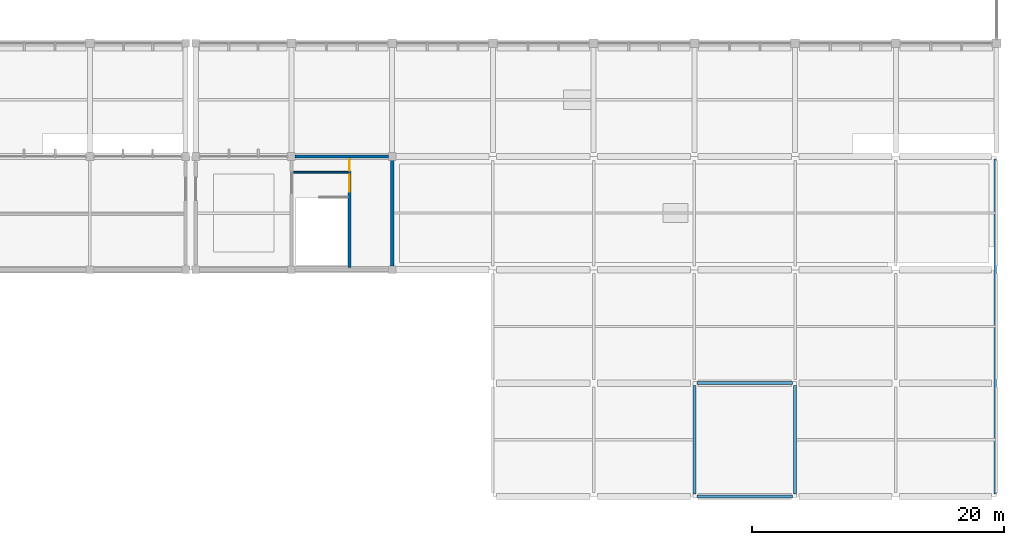
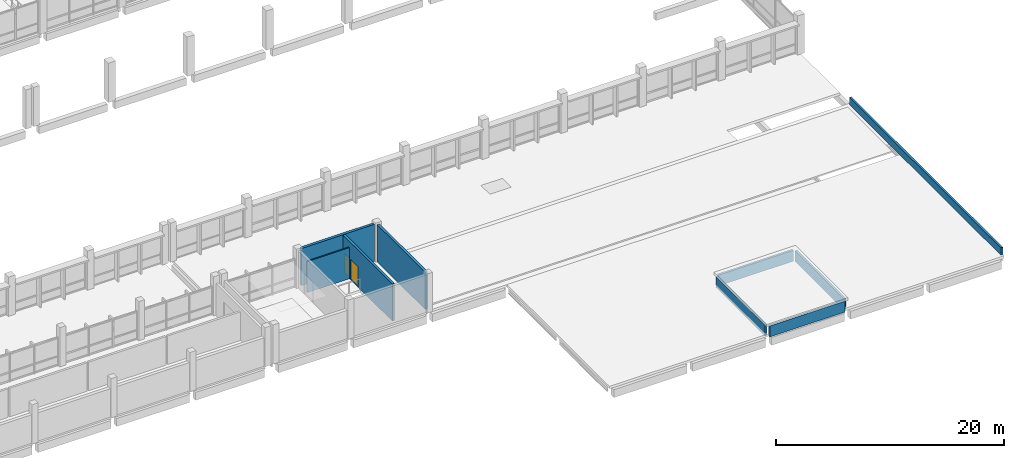
# One storey, part 62 of 70: 9 walls, 2 doors, 2 openings.
"""IFC4 building model written with IfcOpenShell, lengths in metres."""

import ifcopenshell
import ifcopenshell.guid

model = None  # the IFC model being written
_history = None  # IfcOwnerHistory: only IFC2X3 demands one
_inside = {}  # id of a spatial element -> (the spatial element, [elements in it])
_under = {}  # id of a project, library or spatial element -> (it, [spatial elements below it])
_declared = {}  # id of a project -> (the project, [libraries it declares])
_typed = {}  # id of a type object -> (the type object, [elements of that type])
_made_of = {}  # id of a material, layer set ... -> (it, [elements and type objects made of it])


def new_model(schema):
    """Start an empty IFC model of exactly this schema.

    Asked for "IFC4X3", IfcOpenShell would pick the latest addendum, in which some entities
    have other attributes; the version numbers below select the first issue.
    IFC2X3 requires an IfcOwnerHistory on every rooted entity: one is made here for all.
    """
    global model, _history
    if schema == "IFC4X3":
        model = ifcopenshell.file(schema_version=(4, 3, 0, 0))
    else:
        model = ifcopenshell.file(schema=schema)
    _inside.clear()
    _under.clear()
    _declared.clear()
    _typed.clear()
    _made_of.clear()
    _history = None
    if model.schema == "IFC2X3":
        org = make("IfcOrganization", Name="unknown")
        user = make(
            "IfcPersonAndOrganization",
            ThePerson=make("IfcPerson", FamilyName="unknown"),
            TheOrganization=org,
        )
        app = make(
            "IfcApplication",
            ApplicationDeveloper=org,
            Version="unknown",
            ApplicationFullName="unknown",
            ApplicationIdentifier="unknown",
        )
        _history = make(
            "IfcOwnerHistory",
            OwningUser=user,
            OwningApplication=app,
            ChangeAction="ADDED",
            CreationDate=0,
        )
    return model


def make(cls, **values):
    """One entity of the class cls with the attributes given. An attribute that is None is left unset."""
    return model.create_entity(
        cls, **{name: value for name, value in values.items() if value is not None}
    )


def rooted(cls, **values):
    """An entity with a GlobalId (a new one), such as an element, a storey or a relation."""
    return make(cls, GlobalId=ifcopenshell.guid.new(), OwnerHistory=_history, **values)


def si_unit(unit_type, name, prefix=None):
    """IfcSIUnit, for example si_unit("LENGTHUNIT", "METRE", prefix="MILLI")."""
    return make("IfcSIUnit", UnitType=unit_type, Prefix=prefix, Name=name)


def assignment(units):
    """IfcUnitAssignment: the units of a project."""
    return None if units is None else make("IfcUnitAssignment", Units=units)


def point(xyz):
    """IfcCartesianPoint."""
    return None if xyz is None else make("IfcCartesianPoint", Coordinates=xyz)


def direction(xyz):
    """IfcDirection."""
    return None if xyz is None else make("IfcDirection", DirectionRatios=xyz)


def frame(location, z_axis=None, x_axis=None):
    """IfcAxis2Placement3D, a coordinate frame: its origin and axes. An axis left out is left unset."""
    return make(
        "IfcAxis2Placement3D",
        Location=point(location),
        Axis=direction(z_axis),
        RefDirection=direction(x_axis),
    )


def frame_2d(location, x_axis=None):
    """IfcAxis2Placement2D, a coordinate frame in the plane: its origin and x axis."""
    return make(
        "IfcAxis2Placement2D", Location=point(location), RefDirection=direction(x_axis)
    )


def origin():
    """The frame at (0, 0, 0) with its axes left unset."""
    return frame((0.0, 0.0, 0.0))


def place(relative_to, where):
    """IfcLocalPlacement: puts the frame where relative to a parent placement (None: the world)."""
    return make(
        "IfcLocalPlacement", PlacementRelTo=relative_to, RelativePlacement=where
    )


def context(
    kind, dimensions, precision=None, world=None, true_north=None, identifier=None
):
    """IfcGeometricRepresentationContext, for example the 3D "Model" context."""
    return make(
        "IfcGeometricRepresentationContext",
        ContextIdentifier=identifier,
        ContextType=kind,
        CoordinateSpaceDimension=dimensions,
        Precision=precision,
        WorldCoordinateSystem=world,
        TrueNorth=true_north,
    )


def subcontext(parent, identifier, kind, view, scale=None):
    """IfcGeometricRepresentationSubContext, for example "Body" below "Model"."""
    return make(
        "IfcGeometricRepresentationSubContext",
        ContextIdentifier=identifier,
        ContextType=kind,
        ParentContext=parent,
        TargetScale=scale,
        TargetView=view,
    )


def project(units=None, contexts=None):
    """IfcProject with its units and contexts."""
    return rooted(
        "IfcProject",
        Name="project",
        RepresentationContexts=contexts,
        UnitsInContext=assignment(units),
    )


def spatial(cls, under=None, at=None, **own):
    """A site, building, storey or space (cls), placed at a placement, below another one or the project."""
    s = rooted(cls, ObjectPlacement=at, **own)
    if under is not None:
        _under.setdefault(under.id(), (under, []))[1].append(s)
    return s


def profile(cls, at=None, kind="AREA", **sizes):
    """A parametric profile (cls). Its sizes go by their IFC names, for example OverallWidth=200.0."""
    return make(cls, ProfileType=kind, Position=at, **sizes)


def rectangle(**sizes):
    """IfcRectangleProfileDef."""
    return profile("IfcRectangleProfileDef", **sizes)


def extrude(swept, where, along, depth):
    """IfcExtrudedAreaSolid: the profile swept, set in the frame where, extruded along a direction by depth."""
    return make(
        "IfcExtrudedAreaSolid",
        SweptArea=swept,
        Position=where,
        ExtrudedDirection=direction(along),
        Depth=depth,
    )


def shape(context_of_items, identifier, shape_type, items):
    """IfcShapeRepresentation: the items that make up one representation, for example the "Body"."""
    return make(
        "IfcShapeRepresentation",
        ContextOfItems=context_of_items,
        RepresentationIdentifier=identifier,
        RepresentationType=shape_type,
        Items=items,
    )


def material(Name=None, Category=None):
    """IfcMaterial."""
    return make("IfcMaterial", Name=Name, Category=Category)


def layer(
    of_material, thickness, ventilated=None, Name=None, Category=None, Priority=None
):
    """IfcMaterialLayer: one layer of a wall or slab, of a material (None: an air gap)."""
    return make(
        "IfcMaterialLayer",
        Material=of_material,
        LayerThickness=thickness,
        IsVentilated=ventilated,
        Name=Name,
        Category=Category,
        Priority=Priority,
    )


def layer_set(layers, Name=None):
    """IfcMaterialLayerSet."""
    return make("IfcMaterialLayerSet", MaterialLayers=layers, LayerSetName=Name)


def made_of(thing, what):
    """Note that an element or type object is made of a material, layer set ...; save() writes the relation."""
    if what is not None:
        _made_of.setdefault(what.id(), (what, []))[1].append(thing)
    return thing


def type_object(cls, material=None, **own):
    """A type object (cls), such as IfcWallType, which elements share."""
    return made_of(rooted(cls, **own), material)


def element(
    cls,
    number,
    at=None,
    inside=None,
    cuts=None,
    type_object=None,
    material=None,
    context=None,
    identifier="Body",
    shape_type=None,
    held_by="IfcProductDefinitionShape",
    body=None,
    shapes=None,
    **own,
):
    """One element of the class cls, such as IfcWall. Its Tag is "e" and its number.

    at: its placement. inside: the storey or other place that contains it. cuts: it is an
    opening in that element (IfcRelVoidsElement). A single representation is given by context,
    identifier, shape_type and body (its items); several are given by shapes. held_by: the class
    of the entity that holds the representations. save() writes the other relations.
    """
    e = rooted(cls, Tag="e%d" % number, ObjectPlacement=at, **own)
    if body is not None:
        shapes = [shape(context, identifier, shape_type, body)]
    if shapes is not None:
        e.Representation = make(held_by, Representations=shapes)
    if inside is not None:
        _inside.setdefault(inside.id(), (inside, []))[1].append(e)
    if cuts is not None:
        rooted(
            "IfcRelVoidsElement", RelatingBuildingElement=cuts, RelatedOpeningElement=e
        )
    if type_object is not None:
        _typed.setdefault(type_object.id(), (type_object, []))[1].append(e)
    return made_of(e, material)


def fill(opening, filler):
    """IfcRelFillsElement: the door or window that sits in an opening."""
    return rooted(
        "IfcRelFillsElement",
        RelatingOpeningElement=opening,
        RelatedBuildingElement=filler,
    )


def aggregate(whole, parts):
    """IfcRelAggregates: a whole, such as a stair, and the parts it consists of."""
    return rooted("IfcRelAggregates", RelatingObject=whole, RelatedObjects=parts)


def save(model, path):
    """Write the relations noted so far, then the file.

    IfcRelAggregates (storeys below a building ...), IfcRelContainedInSpatialStructure (elements
    in a storey), IfcRelDefinesByType, IfcRelAssociatesMaterial and IfcRelDeclares: one each for
    every whole, place, type object, material and project.
    """
    for whole, parts in _under.values():
        aggregate(whole, parts)
    for where, things in _inside.values():
        rooted(
            "IfcRelContainedInSpatialStructure",
            RelatedElements=things,
            RelatingStructure=where,
        )
    for kind, things in _typed.values():
        rooted("IfcRelDefinesByType", RelatedObjects=things, RelatingType=kind)
    for what, things in _made_of.values():
        rooted("IfcRelAssociatesMaterial", RelatedObjects=things, RelatingMaterial=what)
    for by, libraries in _declared.values():
        rooted("IfcRelDeclares", RelatingContext=by, RelatedDefinitions=libraries)
    model.write(path)


model = new_model("IFC4")

# Units and contexts
model_context = context("Model", 3, precision=1e-05, world=origin(), true_north=direction((0.0, 1.0)))
body_context = subcontext(model_context, "Body", "Model", "MODEL_VIEW")
ifc_project = project(units=[si_unit("LENGTHUNIT", "METRE"), si_unit("AREAUNIT", "SQUARE_METRE"), si_unit("VOLUMEUNIT", "CUBIC_METRE"), si_unit("PLANEANGLEUNIT", "RADIAN"), si_unit("MASSUNIT", "GRAM", prefix="KILO"), si_unit("THERMODYNAMICTEMPERATUREUNIT", "KELVIN"), si_unit("POWERUNIT", "WATT")], contexts=[model_context])

# Site, building, storey
site_placement = place(None, origin())
site = spatial("IfcSite", under=ifc_project, at=site_placement, CompositionType="ELEMENT")
building_placement = place(site_placement, origin())
building = spatial("IfcBuilding", under=site, at=building_placement, Name="Kronsvod Quay Wholesale Market", CompositionType="ELEMENT")
storey_placement = place(building_placement, frame((0.0, 0.0, 9.0)))
storey = spatial("IfcBuildingStorey", under=building, at=storey_placement, Name="L02", CompositionType="ELEMENT", Elevation=9.0)

# Walls
ifc_material_1 = material(Name="Concrete C35/45", Category="concrete")
ifc_layer_1 = layer(ifc_material_1, 0.260009765625)
ifc_layer_set_1 = layer_set([ifc_layer_1], Name="Concrete C35/45")
wall_type_1 = type_object("IfcWallType", Name="Wall_CoreShear260", PredefinedType="SHEAR", material=ifc_layer_set_1)
wall_1_placement = place(storey_placement, frame((136.294921875, 45.0, 0.0), z_axis=(0.0, 0.0, 1.0), x_axis=(1.0, 0.0, 0.0)))
element("IfcWall", 1, at=wall_1_placement, inside=storey, type_object=wall_type_1, Name="CW-C05-L02-N", PredefinedType="SHEAR", context=body_context, shape_type="SweptSolid", body=[
    extrude(rectangle(XDim=7.41015625, YDim=0.260009765625, at=frame_2d((3.705078125, 0.0))), origin(), (0.0, 0.0, 1.0), 3.985107421875),
])
wall_2_placement = place(storey_placement, frame((144.0, 36.294921875, 0.0), z_axis=(0.0, 0.0, 1.0), x_axis=(0.0, 1.0, 0.0)))
element("IfcWall", 2, at=wall_2_placement, inside=storey, type_object=wall_type_1, Name="CW-C05-L02-E", PredefinedType="SHEAR", context=body_context, shape_type="SweptSolid", body=[
    extrude(rectangle(XDim=8.41015625, YDim=0.260009765625, at=frame_2d((4.205078125, 0.0))), origin(), (0.0, 0.0, 1.0), 3.985107421875),
])
ifc_material_2 = material(Name="Concrete C35/45", Category="concrete")
ifc_layer_2 = layer(ifc_material_2, 0.22509765625)
ifc_layer_set_2 = layer_set([ifc_layer_2], Name="Concrete C35/45")
wall_type_2 = type_object("IfcWallType", Name="Wall_OverrunWall225", PredefinedType="SHEAR", material=ifc_layer_set_2)
for number, where, z_axis, x_axis, name in (
    (3, (168.199951171875, 18.0, -0.300048828125), (0.0, 0.0, 1.0), (1.0, 0.0, 0.0), "OW-C06-S"),
    (4, (168.199951171875, 27.0, -0.300048828125), (0.0, 0.0, 1.0), (1.0, 0.0, 0.0), "OW-C06-N"),
):
    element("IfcWall", number, at=place(storey_placement, frame(where, z_axis=z_axis, x_axis=x_axis)), inside=storey, type_object=wall_type_2, Name=name, PredefinedType="SHEAR", context=body_context, shape_type="SweptSolid", body=[
        extrude(rectangle(XDim=7.60009765625, YDim=0.22509765625, at=frame_2d((3.800048828125, 0.0))), origin(), (0.0, 0.0, 1.0), 1.1650390625),
    ])
for number, where, z_axis, x_axis, name in (
    (5, (168.0, 18.199951171875, -0.300048828125), (0.0, 0.0, 1.0), (0.0, 1.0, 0.0), "OW-C06-W"),
    (6, (176.0, 18.199951171875, -0.300048828125), (0.0, 0.0, 1.0), (0.0, 1.0, 0.0), "OW-C06-E"),
):
    element("IfcWall", number, at=place(storey_placement, frame(where, z_axis=z_axis, x_axis=x_axis)), inside=storey, type_object=wall_type_2, Name=name, PredefinedType="SHEAR", context=body_context, shape_type="SweptSolid", body=[
        extrude(rectangle(XDim=8.60009765625, YDim=0.22509765625, at=frame_2d((4.300048828125, 0.0))), origin(), (0.0, 0.0, 1.0), 1.1650390625),
    ])
ifc_material_3 = material(Name="Precast concrete C40/50", Category="concrete")
ifc_layer_3 = layer(ifc_material_3, 0.199951171875)
ifc_layer_set_3 = layer_set([ifc_layer_3], Name="Precast concrete C40/50")
wall_type_3 = type_object("IfcWallType", Name="Wall_Parapet200", PredefinedType="PARAPET", material=ifc_layer_set_3)
wall_3_placement = place(storey_placement, frame((191.89990234375, 18.199951171875, 0.0), z_axis=(0.0, 0.0, 1.0), x_axis=(0.0, 1.0, 0.0)))
element("IfcWall", 7, at=wall_3_placement, inside=storey, type_object=wall_type_3, Name="PRP-V4-E", PredefinedType="PARAPET", context=body_context, shape_type="SweptSolid", body=[
    extrude(rectangle(XDim=26.60009765625, YDim=0.199951171875, at=frame_2d((13.300048828125, 0.0))), origin(), (0.0, 0.0, 1.0), 0.800048828125),
])
ifc_material_4 = material(Name="Fire-rated shaft riser block wall", Category="masonry")
ifc_layer_4 = layer(ifc_material_4, 0.1298828125)
ifc_layer_set_4 = layer_set([ifc_layer_4], Name="Fire-rated shaft riser block wall")
wall_type_4 = type_object("IfcWallType", Name="Wall_PartRiser130", PredefinedType="PARTITIONING", material=ifc_layer_set_4)
wall_4_placement = place(storey_placement, frame((136.179931640625, 43.75, 0.0), z_axis=(0.0, 0.0, 1.0), x_axis=(1.0, 0.0, 0.0)))
element("IfcWall", 8, at=wall_4_placement, inside=storey, type_object=wall_type_4, Name="CW-C05-L02-RSR", PredefinedType="PARTITIONING", context=body_context, shape_type="SweptSolid", body=[
    extrude(rectangle(XDim=4.280029296875, YDim=0.1298828125, at=frame_2d((2.14013671875, 0.0))), origin(), (0.0, 0.0, 1.0), 3.3349609375),
])

# Wall, openings, doors
ifc_material_5 = material(Name="Concrete C35/45", Category="concrete")
ifc_layer_5 = layer(ifc_material_5, 0.239990234375)
ifc_layer_set_5 = layer_set([ifc_layer_5], Name="Concrete C35/45")
wall_type_5 = type_object("IfcWallType", Name="Wall_ShaftWall240", PredefinedType="SHEAR", material=ifc_layer_set_5)
wall_5_placement = place(storey_placement, frame((140.60009765625, 36.179931640625, 0.0), z_axis=(0.0, 0.0, 1.0), x_axis=(0.0, 1.0, 0.0)))
wall_5 = element("IfcWall", 9, at=wall_5_placement, inside=storey, type_object=wall_type_5, Name="CW-C05-L02-DIV", PredefinedType="SHEAR", context=body_context, shape_type="SweptSolid", body=[
    extrude(rectangle(XDim=8.64013671875, YDim=0.239990234375, at=frame_2d((4.320068359375, 0.0))), origin(), (0.0, 0.0, 1.0), 3.985107421875),
])
opening_1_placement = place(wall_5_placement, frame((6.02001953125, 0.0, 0.0)))
opening_1 = element("IfcOpeningElement", 10, at=opening_1_placement, cuts=wall_5, Name="Opening D-0051", PredefinedType="OPENING", context=body_context, shape_type="SweptSolid", body=[
    extrude(rectangle(XDim=1.35009765625, YDim=2.199951171875, at=frame_2d((0.675048828125, 1.10009765625))), frame((0.0, 0.1298828125, 0.0), z_axis=(0.0, -1.0, 0.0), x_axis=(1.0, 0.0, 0.0)), (0.0, 0.0, 1.0), 0.260009765625),
])
opening_2_placement = place(wall_5_placement, frame((7.679931640625, 0.0, 0.0)))
opening_2 = element("IfcOpeningElement", 11, at=opening_2_placement, cuts=wall_5, Name="Opening D-0052", PredefinedType="OPENING", context=body_context, shape_type="SweptSolid", body=[
    extrude(rectangle(XDim=0.89990234375, YDim=2.050048828125, at=frame_2d((0.449951171875, 1.02490234375))), frame((0.0, 0.1298828125, 0.0), z_axis=(0.0, -1.0, 0.0), x_axis=(1.0, 0.0, 0.0)), (0.0, 0.0, 1.0), 0.260009765625),
])
ifc_material_6 = material(Name="Painted galvanized fire steel", Category="steel")
door_type_1 = type_object("IfcDoorType", Name="Door_FireStair135x220", OperationType="NOTDEFINED", PredefinedType="DOOR", material=ifc_material_6)
door_1_placement = place(opening_1_placement, origin())
door_1 = element("IfcDoor", 12, at=door_1_placement, inside=storey, type_object=door_type_1, Name="Stair Fire Door D-0051", OperationType="SINGLE_SWING_LEFT", OverallHeight=2.199951171875, OverallWidth=1.35009765625, PredefinedType="DOOR", context=body_context, shape_type="SweptSolid", body=[
    extrude(rectangle(XDim=1.35009765625, YDim=2.199951171875, at=frame_2d((0.675048828125, 1.10009765625))), frame((0.0, 0.02490234375, 0.0), z_axis=(0.0, -1.0, 0.0), x_axis=(1.0, 0.0, 0.0)), (0.0, 0.0, 1.0), 0.050048828125),
])
fill(opening_1, door_1)
ifc_material_7 = material(Name="Fire-rated steel riser access door", Category="steel")
door_type_2 = type_object("IfcDoorType", Name="Door_Riser90x205", OperationType="NOTDEFINED", PredefinedType="DOOR", material=ifc_material_7)
door_2_placement = place(opening_2_placement, origin())
door_2 = element("IfcDoor", 13, at=door_2_placement, inside=storey, type_object=door_type_2, Name="Service Riser Door D-0052", OperationType="SINGLE_SWING_RIGHT", OverallHeight=2.050048828125, OverallWidth=0.89990234375, PredefinedType="DOOR", context=body_context, shape_type="SweptSolid", body=[
    extrude(rectangle(XDim=0.89990234375, YDim=2.050048828125, at=frame_2d((0.449951171875, 1.02490234375))), frame((0.0, 0.02490234375, 0.0), z_axis=(0.0, -1.0, 0.0), x_axis=(1.0, 0.0, 0.0)), (0.0, 0.0, 1.0), 0.050048828125),
])
fill(opening_2, door_2)

save(model, "model.ifc")
